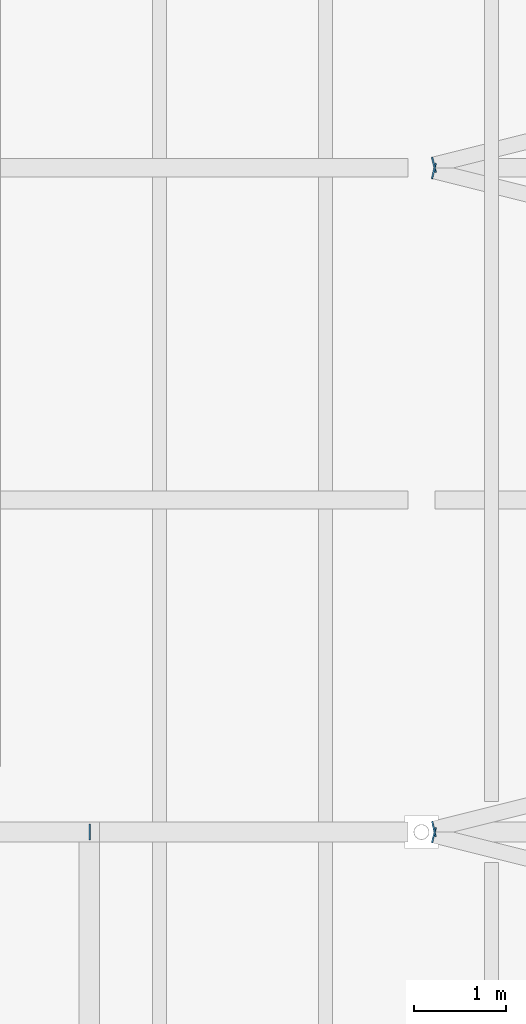
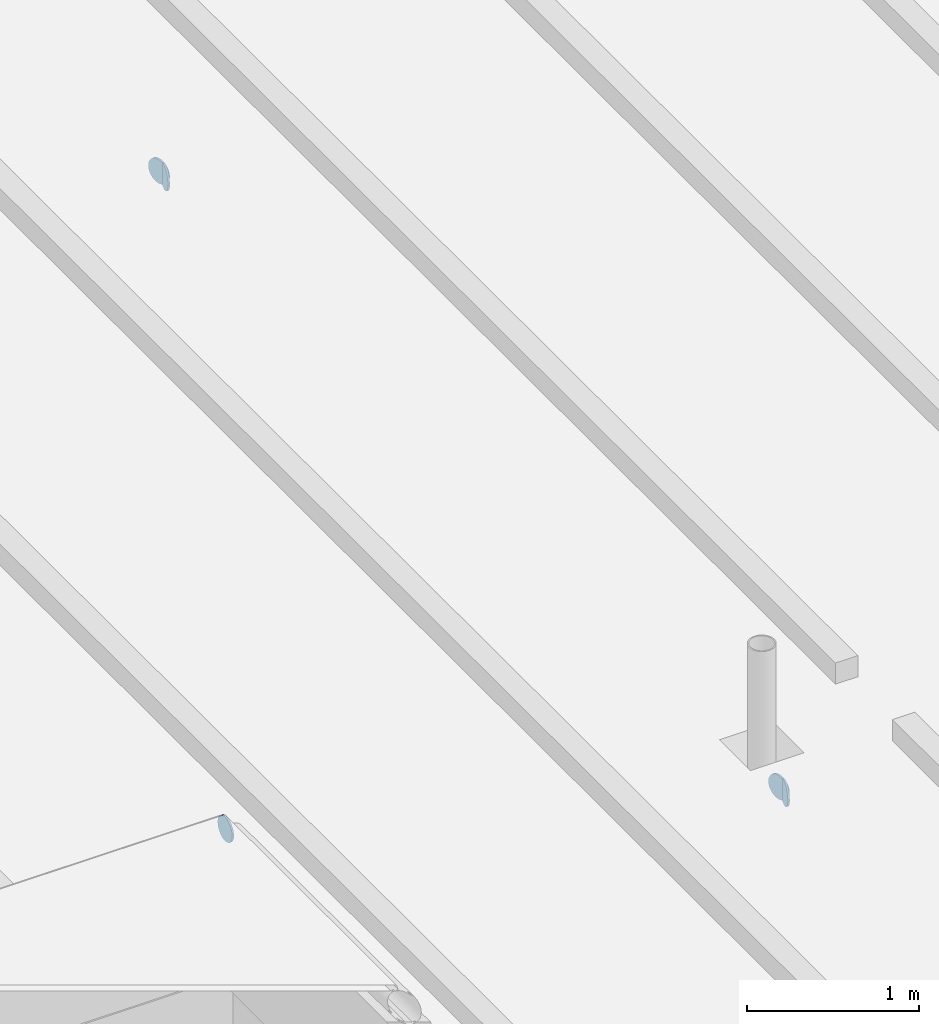
# One storey, part 93 of 120: 5 discrete accessories.
"""IFC4 building model written with IfcOpenShell, lengths in metres."""

import ifcopenshell
import ifcopenshell.guid

model = None  # the IFC model being written
_history = None  # IfcOwnerHistory: only IFC2X3 demands one
_inside = {}  # id of a spatial element -> (the spatial element, [elements in it])
_under = {}  # id of a project, library or spatial element -> (it, [spatial elements below it])
_declared = {}  # id of a project -> (the project, [libraries it declares])
_typed = {}  # id of a type object -> (the type object, [elements of that type])
_made_of = {}  # id of a material, layer set ... -> (it, [elements and type objects made of it])


def new_model(schema):
    """Start an empty IFC model of exactly this schema.

    Asked for "IFC4X3", IfcOpenShell would pick the latest addendum, in which some entities
    have other attributes; the version numbers below select the first issue.
    IFC2X3 requires an IfcOwnerHistory on every rooted entity: one is made here for all.
    """
    global model, _history
    if schema == "IFC4X3":
        model = ifcopenshell.file(schema_version=(4, 3, 0, 0))
    else:
        model = ifcopenshell.file(schema=schema)
    _inside.clear()
    _under.clear()
    _declared.clear()
    _typed.clear()
    _made_of.clear()
    _history = None
    if model.schema == "IFC2X3":
        org = make("IfcOrganization", Name="unknown")
        user = make(
            "IfcPersonAndOrganization",
            ThePerson=make("IfcPerson", FamilyName="unknown"),
            TheOrganization=org,
        )
        app = make(
            "IfcApplication",
            ApplicationDeveloper=org,
            Version="unknown",
            ApplicationFullName="unknown",
            ApplicationIdentifier="unknown",
        )
        _history = make(
            "IfcOwnerHistory",
            OwningUser=user,
            OwningApplication=app,
            ChangeAction="ADDED",
            CreationDate=0,
        )
    return model


def make(cls, **values):
    """One entity of the class cls with the attributes given. An attribute that is None is left unset."""
    return model.create_entity(
        cls, **{name: value for name, value in values.items() if value is not None}
    )


def rooted(cls, **values):
    """An entity with a GlobalId (a new one), such as an element, a storey or a relation."""
    return make(cls, GlobalId=ifcopenshell.guid.new(), OwnerHistory=_history, **values)


def si_unit(unit_type, name, prefix=None):
    """IfcSIUnit, for example si_unit("LENGTHUNIT", "METRE", prefix="MILLI")."""
    return make("IfcSIUnit", UnitType=unit_type, Prefix=prefix, Name=name)


def assignment(units):
    """IfcUnitAssignment: the units of a project."""
    return None if units is None else make("IfcUnitAssignment", Units=units)


def point(xyz):
    """IfcCartesianPoint."""
    return None if xyz is None else make("IfcCartesianPoint", Coordinates=xyz)


def direction(xyz):
    """IfcDirection."""
    return None if xyz is None else make("IfcDirection", DirectionRatios=xyz)


def frame(location, z_axis=None, x_axis=None):
    """IfcAxis2Placement3D, a coordinate frame: its origin and axes. An axis left out is left unset."""
    return make(
        "IfcAxis2Placement3D",
        Location=point(location),
        Axis=direction(z_axis),
        RefDirection=direction(x_axis),
    )


def frame_2d(location, x_axis=None):
    """IfcAxis2Placement2D, a coordinate frame in the plane: its origin and x axis."""
    return make(
        "IfcAxis2Placement2D", Location=point(location), RefDirection=direction(x_axis)
    )


def origin():
    """The frame at (0, 0, 0) with its axes left unset."""
    return frame((0.0, 0.0, 0.0))


def origin_2d():
    """The frame at (0, 0) in the plane with its x axis left unset."""
    return frame_2d((0.0, 0.0))


def place(relative_to, where):
    """IfcLocalPlacement: puts the frame where relative to a parent placement (None: the world)."""
    return make(
        "IfcLocalPlacement", PlacementRelTo=relative_to, RelativePlacement=where
    )


def context(
    kind, dimensions, precision=None, world=None, true_north=None, identifier=None
):
    """IfcGeometricRepresentationContext, for example the 3D "Model" context."""
    return make(
        "IfcGeometricRepresentationContext",
        ContextIdentifier=identifier,
        ContextType=kind,
        CoordinateSpaceDimension=dimensions,
        Precision=precision,
        WorldCoordinateSystem=world,
        TrueNorth=true_north,
    )


def subcontext(parent, identifier, kind, view, scale=None):
    """IfcGeometricRepresentationSubContext, for example "Body" below "Model"."""
    return make(
        "IfcGeometricRepresentationSubContext",
        ContextIdentifier=identifier,
        ContextType=kind,
        ParentContext=parent,
        TargetScale=scale,
        TargetView=view,
    )


def project(units=None, contexts=None):
    """IfcProject with its units and contexts."""
    return rooted(
        "IfcProject",
        Name="project",
        RepresentationContexts=contexts,
        UnitsInContext=assignment(units),
    )


def spatial(cls, under=None, at=None, **own):
    """A site, building, storey or space (cls), placed at a placement, below another one or the project."""
    s = rooted(cls, ObjectPlacement=at, **own)
    if under is not None:
        _under.setdefault(under.id(), (under, []))[1].append(s)
    return s


def profile(cls, at=None, kind="AREA", **sizes):
    """A parametric profile (cls). Its sizes go by their IFC names, for example OverallWidth=200.0."""
    return make(cls, ProfileType=kind, Position=at, **sizes)


def circle(**sizes):
    """IfcCircleProfileDef."""
    return profile("IfcCircleProfileDef", **sizes)


def extrude(swept, where, along, depth):
    """IfcExtrudedAreaSolid: the profile swept, set in the frame where, extruded along a direction by depth."""
    return make(
        "IfcExtrudedAreaSolid",
        SweptArea=swept,
        Position=where,
        ExtrudedDirection=direction(along),
        Depth=depth,
    )


def shape(context_of_items, identifier, shape_type, items):
    """IfcShapeRepresentation: the items that make up one representation, for example the "Body"."""
    return make(
        "IfcShapeRepresentation",
        ContextOfItems=context_of_items,
        RepresentationIdentifier=identifier,
        RepresentationType=shape_type,
        Items=items,
    )


def material(Name=None, Category=None):
    """IfcMaterial."""
    return make("IfcMaterial", Name=Name, Category=Category)


def layer(
    of_material, thickness, ventilated=None, Name=None, Category=None, Priority=None
):
    """IfcMaterialLayer: one layer of a wall or slab, of a material (None: an air gap)."""
    return make(
        "IfcMaterialLayer",
        Material=of_material,
        LayerThickness=thickness,
        IsVentilated=ventilated,
        Name=Name,
        Category=Category,
        Priority=Priority,
    )


def layer_set(layers, Name=None):
    """IfcMaterialLayerSet."""
    return make("IfcMaterialLayerSet", MaterialLayers=layers, LayerSetName=Name)


def made_of(thing, what):
    """Note that an element or type object is made of a material, layer set ...; save() writes the relation."""
    if what is not None:
        _made_of.setdefault(what.id(), (what, []))[1].append(thing)
    return thing


def type_object(cls, material=None, **own):
    """A type object (cls), such as IfcWallType, which elements share."""
    return made_of(rooted(cls, **own), material)


def element(
    cls,
    number,
    at=None,
    inside=None,
    cuts=None,
    type_object=None,
    material=None,
    context=None,
    identifier="Body",
    shape_type=None,
    held_by="IfcProductDefinitionShape",
    body=None,
    shapes=None,
    **own,
):
    """One element of the class cls, such as IfcWall. Its Tag is "e" and its number.

    at: its placement. inside: the storey or other place that contains it. cuts: it is an
    opening in that element (IfcRelVoidsElement). A single representation is given by context,
    identifier, shape_type and body (its items); several are given by shapes. held_by: the class
    of the entity that holds the representations. save() writes the other relations.
    """
    e = rooted(cls, Tag="e%d" % number, ObjectPlacement=at, **own)
    if body is not None:
        shapes = [shape(context, identifier, shape_type, body)]
    if shapes is not None:
        e.Representation = make(held_by, Representations=shapes)
    if inside is not None:
        _inside.setdefault(inside.id(), (inside, []))[1].append(e)
    if cuts is not None:
        rooted(
            "IfcRelVoidsElement", RelatingBuildingElement=cuts, RelatedOpeningElement=e
        )
    if type_object is not None:
        _typed.setdefault(type_object.id(), (type_object, []))[1].append(e)
    return made_of(e, material)


def aggregate(whole, parts):
    """IfcRelAggregates: a whole, such as a stair, and the parts it consists of."""
    return rooted("IfcRelAggregates", RelatingObject=whole, RelatedObjects=parts)


def save(model, path):
    """Write the relations noted so far, then the file.

    IfcRelAggregates (storeys below a building ...), IfcRelContainedInSpatialStructure (elements
    in a storey), IfcRelDefinesByType, IfcRelAssociatesMaterial and IfcRelDeclares: one each for
    every whole, place, type object, material and project.
    """
    for whole, parts in _under.values():
        aggregate(whole, parts)
    for where, things in _inside.values():
        rooted(
            "IfcRelContainedInSpatialStructure",
            RelatedElements=things,
            RelatingStructure=where,
        )
    for kind, things in _typed.values():
        rooted("IfcRelDefinesByType", RelatedObjects=things, RelatingType=kind)
    for what, things in _made_of.values():
        rooted("IfcRelAssociatesMaterial", RelatedObjects=things, RelatingMaterial=what)
    for by, libraries in _declared.values():
        rooted("IfcRelDeclares", RelatingContext=by, RelatedDefinitions=libraries)
    model.write(path)


model = new_model("IFC4")

# Units and contexts
model_context = context("Model", 3, precision=1e-05, world=origin(), true_north=direction((0.0, 1.0)))
body_context = subcontext(model_context, "Body", "Model", "MODEL_VIEW")
ifc_project = project(units=[si_unit("LENGTHUNIT", "METRE"), si_unit("AREAUNIT", "SQUARE_METRE"), si_unit("VOLUMEUNIT", "CUBIC_METRE"), si_unit("PLANEANGLEUNIT", "RADIAN"), si_unit("MASSUNIT", "GRAM", prefix="KILO")], contexts=[model_context])

# Site, building, storey
site_placement = place(None, origin())
site = spatial("IfcSite", under=ifc_project, at=site_placement, CompositionType="ELEMENT")
building_placement = place(site_placement, origin())
building = spatial("IfcBuilding", under=site, at=building_placement, Name="Kupolbacken Congress Centre", CompositionType="ELEMENT")
storey_placement = place(building_placement, frame((0.0, 0.0, 21.60009765625)))
storey = spatial("IfcBuildingStorey", under=building, at=storey_placement, Name="L06", CompositionType="ELEMENT", Elevation=21.60009765625)

# Discrete accessories
ifc_material = material(Name="Steel S355", Category="steel")
ifc_layer = layer(ifc_material, 0.011962890625)
ifc_layer_set = layer_set([ifc_layer], Name="Steel S355")
discrete_accessory_type = type_object("IfcDiscreteAccessoryType", Name="EC2 tube end cap plate 168 dia x 12", PredefinedType="BRACKET", material=ifc_layer_set)
for number, where, z_axis, x_axis, name in (
    (1, (151.3408203125, 61.164794921875, -0.084228515625), (-0.970142500145, 0.242535625036, 0.0), (-0.242535625036, -0.970142500145, 0.0), "End cap plate HR/RB/05-04 B"),
    (2, (151.3408203125, 61.235107421875, -0.084228515625), (-0.974732318528, -0.223376156329, 0.0), (0.223376156329, -0.974732318528, 0.0), "End cap plate HR/RB/05-05 A"),
    (3, (151.3408203125, 68.36474609375, -0.084228515625), (-0.970142500145, 0.242535625036, 0.0), (-0.242535625036, -0.970142500145, 0.0), "End cap plate HR/RB/05-06 B"),
    (4, (151.3408203125, 68.435302734375, -0.084228515625), (-0.970142500145, -0.242535625036, 0.0), (0.242535625036, -0.970142500145, 0.0), "End cap plate HR/RB/05-07 A"),
    (5, (147.60009765625, 61.199951171875, 0.944091796875), (1.0, 0.0, 0.0), (0.0, 1.0, 0.0), "End cap plate RD/RL4/FN B"),
):
    element("IfcDiscreteAccessory", number, at=place(storey_placement, frame(where, z_axis=z_axis, x_axis=x_axis)), inside=storey, type_object=discrete_accessory_type, Name=name, PredefinedType="BRACKET", context=body_context, shape_type="SweptSolid", body=[
        extrude(circle(Radius=0.084228515625, at=origin_2d()), origin(), (0.0, 0.0, 1.0), 0.011962890625),
    ])

save(model, "model.ifc")
